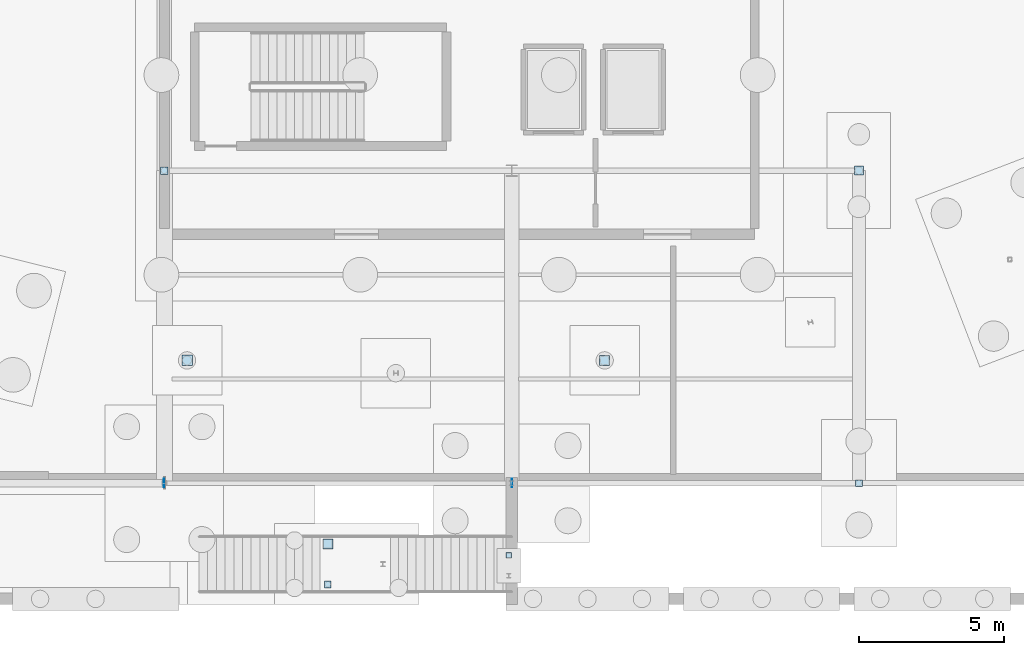
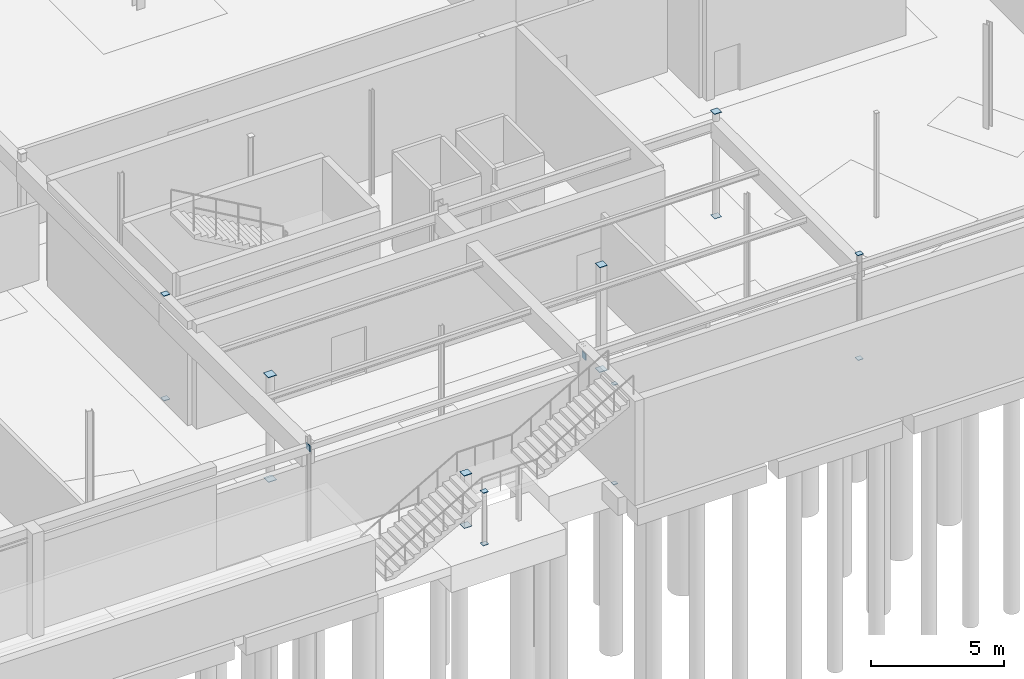
# One storey, part 94 of 136: 18 plates.
"""IFC4 building model written with IfcOpenShell, lengths in metres."""

from ifc_helpers import new_model, si_unit, direction, frame, origin, origin_2d, place, context, subcontext, project, spatial, rectangle, extrude, material, layer, layer_set, type_object, element, save


model = new_model("IFC4")

# Units and contexts
model_context = context("Model", 3, precision=1e-05, world=origin(), true_north=direction((0.0, 1.0)))
body_context = subcontext(model_context, "Body", "Model", "MODEL_VIEW")
ifc_project = project(units=[si_unit("LENGTHUNIT", "METRE"), si_unit("AREAUNIT", "SQUARE_METRE"), si_unit("VOLUMEUNIT", "CUBIC_METRE"), si_unit("PLANEANGLEUNIT", "RADIAN"), si_unit("MASSUNIT", "GRAM", prefix="KILO")], contexts=[model_context])

# Site, building, storey
site_placement = place(None, origin())
site = spatial("IfcSite", under=ifc_project, at=site_placement, CompositionType="ELEMENT")
building_placement = place(site_placement, origin())
building = spatial("IfcBuilding", under=site, at=building_placement, Name="Tarnwether General Hospital", CompositionType="ELEMENT")
storey_placement = place(building_placement, frame((0.0, 0.0, -4.800048828125)))
storey = spatial("IfcBuildingStorey", under=building, at=storey_placement, Name="LG", CompositionType="ELEMENT", Elevation=-4.800048828125)

# Plates
ifc_material = material(Name="Steel Grade 350 (350 MPa)", Category="steel")
ifc_layer = layer(ifc_material, 0.02490234375)
ifc_layer_set = layer_set([ifc_layer], Name="Steel Grade 350 (350 MPa)")
plate_type = type_object("IfcPlateType", Name="PT-GUS2", PredefinedType="USERDEFINED", material=ifc_layer_set)
for number, where, z_axis, x_axis, name in (
    (1, (84.0, 10.800048828125, -0.02490234375), (0.0, 0.0, 1.0), (1.0, 0.0, 0.0), "Hollow Section Welded End Cap Plate 0149"),
    (2, (84.0, 10.800048828125, 4.800048828125), (0.0, 0.0, 1.0), (1.0, 0.0, 0.0), "Hollow Section Welded End Cap Plate 0150"),
):
    element("IfcPlate", number, at=place(storey_placement, frame(where, z_axis=z_axis, x_axis=x_axis)), inside=storey, type_object=plate_type, Name=name, ObjectType="GUSSET", PredefinedType="USERDEFINED", context=body_context, shape_type="SweptSolid", body=[
        extrude(rectangle(XDim=0.259033203125, YDim=0.259033203125, at=origin_2d()), origin(), (0.0, 0.0, 1.0), 0.02490234375),
    ])
for number, where, z_axis, x_axis, name in (
    (3, (108.0, 0.0, -0.02490234375), (0.0, 0.0, 1.0), (1.0, 0.0, 0.0), "Hollow Section Welded End Cap Plate 0185"),
    (4, (108.0, 0.0, 4.800048828125), (0.0, 0.0, 1.0), (1.0, 0.0, 0.0), "Hollow Section Welded End Cap Plate 0186"),
):
    element("IfcPlate", number, at=place(storey_placement, frame(where, z_axis=z_axis, x_axis=x_axis)), inside=storey, type_object=plate_type, Name=name, ObjectType="GUSSET", PredefinedType="USERDEFINED", context=body_context, shape_type="SweptSolid", body=[
        extrude(rectangle(XDim=0.23388671875, YDim=0.23388671875, at=origin_2d()), origin(), (0.0, 0.0, 1.0), 0.02490234375),
    ])
for number, where, z_axis, x_axis, name in (
    (5, (108.0, 10.800048828125, -0.02490234375), (0.0, 0.0, 1.0), (1.0, 0.0, 0.0), "Hollow Section Welded End Cap Plate 0189"),
    (6, (108.0, 10.800048828125, 4.800048828125), (0.0, 0.0, 1.0), (1.0, 0.0, 0.0), "Hollow Section Welded End Cap Plate 0190"),
):
    element("IfcPlate", number, at=place(storey_placement, frame(where, z_axis=z_axis, x_axis=x_axis)), inside=storey, type_object=plate_type, Name=name, ObjectType="GUSSET", PredefinedType="USERDEFINED", context=body_context, shape_type="SweptSolid", body=[
        extrude(rectangle(XDim=0.31298828125, YDim=0.31298828125, at=origin_2d()), origin(), (0.0, 0.0, 1.0), 0.02490234375),
    ])
for number, where, z_axis, x_axis, name in (
    (7, (84.784912109375, 4.240966796875, -0.02490234375), (0.0, 0.0, 1.0), (1.0, 0.0, 0.0), "Hollow Section Welded End Cap Plate 0661"),
    (8, (84.784912109375, 4.240966796875, 4.800048828125), (0.0, 0.0, 1.0), (1.0, 0.0, 0.0), "Hollow Section Welded End Cap Plate 0662"),
):
    element("IfcPlate", number, at=place(storey_placement, frame(where, z_axis=z_axis, x_axis=x_axis)), inside=storey, type_object=plate_type, Name=name, ObjectType="GUSSET", PredefinedType="USERDEFINED", context=body_context, shape_type="SweptSolid", body=[
        extrude(rectangle(XDim=0.364013671875, YDim=0.364013671875, at=origin_2d()), origin(), (0.0, 0.0, 1.0), 0.02490234375),
    ])
for number, where, z_axis, x_axis, name in (
    (9, (99.215087890625, 4.240966796875, -0.02490234375), (0.0, 0.0, 1.0), (1.0, 0.0, 0.0), "Hollow Section Welded End Cap Plate 0693"),
    (10, (99.215087890625, 4.240966796875, 4.800048828125), (0.0, 0.0, 1.0), (1.0, 0.0, 0.0), "Hollow Section Welded End Cap Plate 0694"),
):
    element("IfcPlate", number, at=place(storey_placement, frame(where, z_axis=z_axis, x_axis=x_axis)), inside=storey, type_object=plate_type, Name=name, ObjectType="GUSSET", PredefinedType="USERDEFINED", context=body_context, shape_type="SweptSolid", body=[
        extrude(rectangle(XDim=0.340087890625, YDim=0.340087890625, at=origin_2d()), origin(), (0.0, 0.0, 1.0), 0.02490234375),
    ])
for number, where, z_axis, x_axis, name in (
    (11, (89.64990234375, -3.5, -0.02490234375), (0.0, 0.0, 1.0), (1.0, 0.0, 0.0), "Hollow Section Welded End Cap Plate 0795"),
    (12, (89.64990234375, -3.5, 2.400146484375), (0.0, 0.0, 1.0), (1.0, 0.0, 0.0), "Hollow Section Welded End Cap Plate 0796"),
):
    element("IfcPlate", number, at=place(storey_placement, frame(where, z_axis=z_axis, x_axis=x_axis)), inside=storey, type_object=plate_type, Name=name, ObjectType="GUSSET", PredefinedType="USERDEFINED", context=body_context, shape_type="SweptSolid", body=[
        extrude(rectangle(XDim=0.23388671875, YDim=0.23388671875, at=origin_2d()), origin(), (0.0, 0.0, 1.0), 0.02490234375),
    ])
for number, where, z_axis, x_axis, name in (
    (13, (89.64990234375, -2.10009765625, -0.02490234375), (0.0, 0.0, 1.0), (1.0, 0.0, 0.0), "Hollow Section Welded End Cap Plate 0797"),
    (14, (89.64990234375, -2.10009765625, 2.400146484375), (0.0, 0.0, 1.0), (1.0, 0.0, 0.0), "Hollow Section Welded End Cap Plate 0798"),
):
    element("IfcPlate", number, at=place(storey_placement, frame(where, z_axis=z_axis, x_axis=x_axis)), inside=storey, type_object=plate_type, Name=name, ObjectType="GUSSET", PredefinedType="USERDEFINED", context=body_context, shape_type="SweptSolid", body=[
        extrude(rectangle(XDim=0.340087890625, YDim=0.340087890625, at=origin_2d()), origin(), (0.0, 0.0, 1.0), 0.02490234375),
    ])
for number, where, z_axis, x_axis, name in (
    (15, (95.89990234375, -2.5, -0.02490234375), (0.0, 0.0, 1.0), (1.0, 0.0, 0.0), "Hollow Section Welded End Cap Plate 0799"),
    (16, (95.89990234375, -2.5, 4.56005859375), (0.0, 0.0, 1.0), (1.0, 0.0, 0.0), "Hollow Section Welded End Cap Plate 0800"),
):
    element("IfcPlate", number, at=place(storey_placement, frame(where, z_axis=z_axis, x_axis=x_axis)), inside=storey, type_object=plate_type, Name=name, ObjectType="GUSSET", PredefinedType="USERDEFINED", context=body_context, shape_type="SweptSolid", body=[
        extrude(rectangle(XDim=0.18994140625, YDim=0.18994140625, at=origin_2d()), origin(), (0.0, 0.0, 1.0), 0.02490234375),
    ])
for number, where, z_axis, x_axis, name in (
    (17, (83.987548828125, 0.0, 4.159912109375), (0.0, 0.0, 1.0), (1.0, 0.0, 0.0), "Hollow Section Welded End Cap Plate 0827"),
    (18, (96.012451171875, 0.0, 4.159912109375), (0.0, 0.0, 1.0), (1.0, 0.0, 0.0), "Hollow Section Welded End Cap Plate 0828"),
):
    element("IfcPlate", number, at=place(storey_placement, frame(where, z_axis=z_axis, x_axis=x_axis)), inside=storey, type_object=plate_type, Name=name, ObjectType="GUSSET", PredefinedType="USERDEFINED", context=body_context, shape_type="SweptSolid", body=[
        extrude(rectangle(XDim=0.02490234375, YDim=0.2900390625, at=origin_2d()), origin(), (0.0, 0.0, 1.0), 0.2900390625),
    ])

save(model, "model.ifc")
